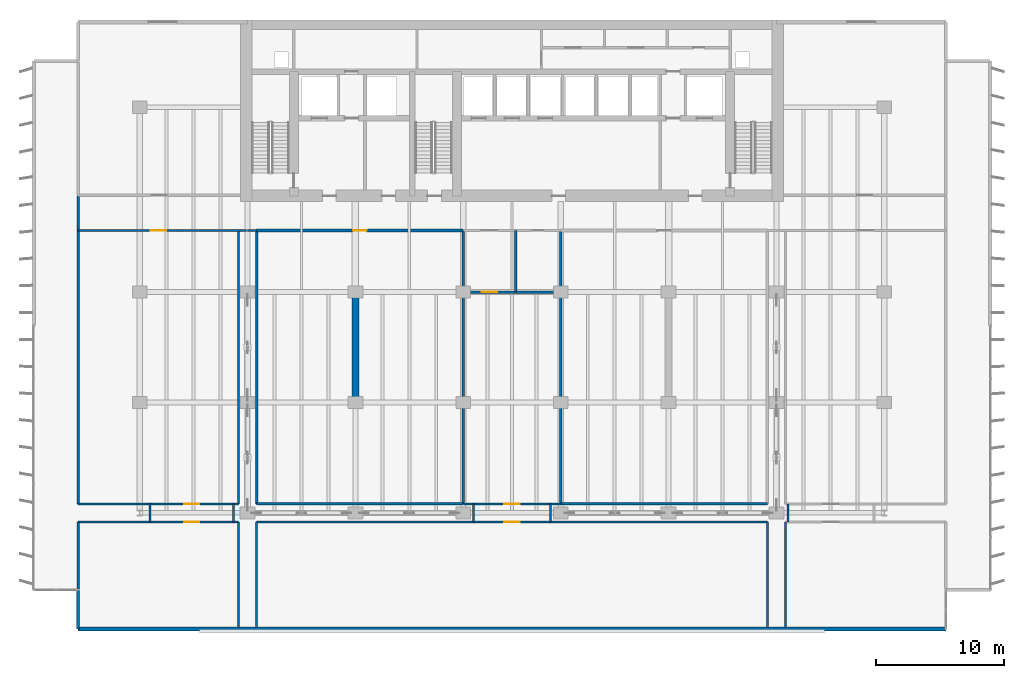
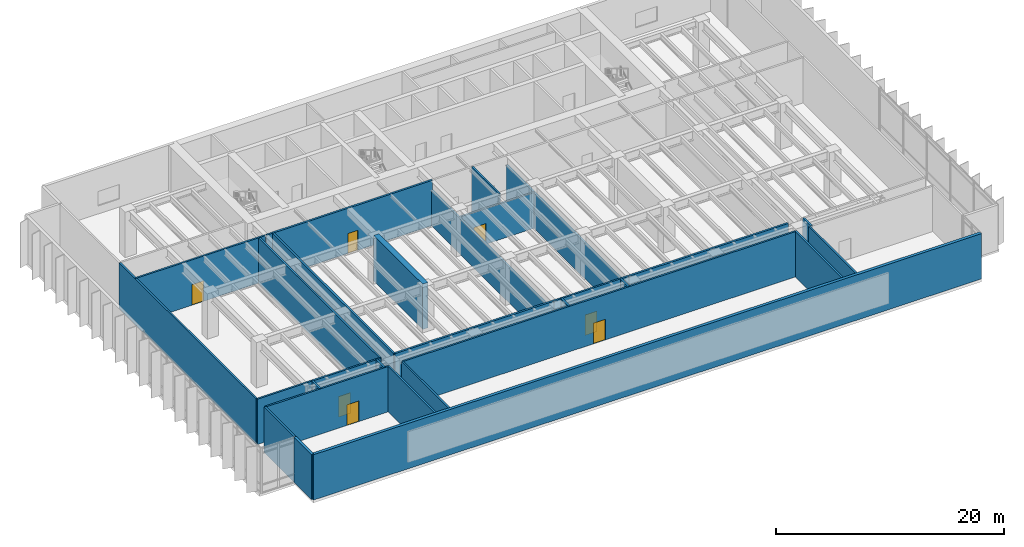
# One storey, part 14 of 21: 29 walls, 7 doors, 7 openings.
"""IFC4 building model written with IfcOpenShell, lengths in metres."""

from ifc_helpers import new_model, si_unit, direction, frame, frame_2d, origin, place, context, subcontext, project, spatial, rectangle, extrude, material, layer, layer_set, type_object, element, fill, save


model = new_model("IFC4")

# Units and contexts
model_context = context("Model", 3, precision=1e-05, world=origin(), true_north=direction((0.0, 1.0)))
body_context = subcontext(model_context, "Body", "Model", "MODEL_VIEW")
ifc_project = project(units=[si_unit("LENGTHUNIT", "METRE"), si_unit("AREAUNIT", "SQUARE_METRE"), si_unit("VOLUMEUNIT", "CUBIC_METRE"), si_unit("PLANEANGLEUNIT", "RADIAN"), si_unit("MASSUNIT", "GRAM", prefix="KILO")], contexts=[model_context])

# Site, building, storey
site_placement = place(None, origin())
site = spatial("IfcSite", under=ifc_project, at=site_placement, CompositionType="ELEMENT")
building_placement = place(site_placement, origin())
building = spatial("IfcBuilding", under=site, at=building_placement, Name="Caelmar Bay Residences", CompositionType="ELEMENT")
storey_placement = place(building_placement, frame((0.0, 0.0, 79.5)))
storey = spatial("IfcBuildingStorey", under=building, at=storey_placement, Name="L21", CompositionType="ELEMENT", Elevation=79.5)

# Walls
ifc_material_1 = material(Name="Concrete f'c 70 MPa (10,000 psi)", Category="concrete")
ifc_layer_1 = layer(ifc_material_1, 0.550048828125)
ifc_layer_set_1 = layer_set([ifc_layer_1], Name="Concrete f'c 70 MPa (10,000 psi)")
wall_type_1 = type_object("IfcWallType", Name="SW-XSLB-550", PredefinedType="SHEAR", material=ifc_layer_set_1)
wall_1_placement = place(storey_placement, frame((26.699951171875, 20.800048828125, 0.0), z_axis=(0.0, 0.0, 1.0), x_axis=(0.0, 1.0, 0.0)))
element("IfcWall", 1, at=wall_1_placement, inside=storey, type_object=wall_type_1, Name="L21 Transverse Cross-Slab Shear Wall W5", PredefinedType="SHEAR", context=body_context, shape_type="SweptSolid", body=[
    extrude(rectangle(XDim=8.599853515625, YDim=0.550048828125, at=frame_2d((4.2998046875, 0.0))), origin(), (0.0, 0.0, 1.0), 4.85009765625),
])
ifc_material_2 = material(Name="Double-stud acoustic fire-rated gypsum partition 180 mm")
ifc_layer_2 = layer(ifc_material_2, 0.179931640625)
ifc_layer_set_2 = layer_set([ifc_layer_2], Name="Double-stud acoustic fire-rated gypsum partition 180 mm")
wall_type_2 = type_object("IfcWallType", Name="W-COR-200", PredefinedType="PARTITIONING", material=ifc_layer_set_2)
wall_2_placement = place(storey_placement, frame((5.10009765625, 6.284912109375, 0.0), z_axis=(0.0, 0.0, 1.0), x_axis=(0.0, 1.0, 0.0)))
element("IfcWall", 2, at=wall_2_placement, inside=storey, type_object=wall_type_2, Name="L21 Partition Wall V001", PredefinedType="PARTITIONING", context=body_context, shape_type="SweptSolid", body=[
    extrude(rectangle(XDim=5.215087890625, YDim=0.179931640625, at=frame_2d((2.607421875, 0.0))), origin(), (0.0, 0.0, 1.0), 4.85009765625),
])
wall_3_placement = place(storey_placement, frame((5.10009765625, 12.89990234375, 0.0), z_axis=(0.0, 0.0, 1.0), x_axis=(0.0, 1.0, 0.0)))
element("IfcWall", 3, at=wall_3_placement, inside=storey, type_object=wall_type_2, Name="L21 Partition Wall V002", PredefinedType="PARTITIONING", context=body_context, shape_type="SweptSolid", body=[
    extrude(rectangle(XDim=24.0, YDim=0.179931640625, at=frame_2d((12.0, 0.0))), origin(), (0.0, 0.0, 1.0), 4.85009765625),
])
for number, where, z_axis, x_axis, name in (
    (4, (10.699951171875, 11.5, 0.0), (0.0, 0.0, 1.0), (0.0, 1.0, 0.0), "L21 Partition Wall V004"),
    (5, (17.199951171875, 11.5, 0.0), (0.0, 0.0, 1.0), (0.0, 1.0, 0.0), "L21 Partition Wall V005"),
):
    element("IfcWall", number, at=place(storey_placement, frame(where, z_axis=z_axis, x_axis=x_axis)), inside=storey, type_object=wall_type_2, Name=name, PredefinedType="PARTITIONING", context=body_context, shape_type="SweptSolid", body=[
        extrude(rectangle(XDim=1.39990234375, YDim=0.179931640625, at=frame_2d((0.699951171875, 0.0))), origin(), (0.0, 0.0, 1.0), 4.85009765625),
    ])
wall_4_placement = place(storey_placement, frame((17.60009765625, 3.294921875, 0.0), z_axis=(0.0, 0.0, 1.0), x_axis=(0.0, 1.0, 0.0)))
element("IfcWall", 6, at=wall_4_placement, inside=storey, type_object=wall_type_2, Name="L21 Partition Wall V006", PredefinedType="PARTITIONING", context=body_context, shape_type="SweptSolid", body=[
    extrude(rectangle(XDim=8.205078125, YDim=0.179931640625, at=frame_2d((4.1025390625, 0.0))), origin(), (0.0, 0.0, 1.0), 4.85009765625),
])
wall_5_placement = place(storey_placement, frame((17.60009765625, 12.89990234375, 0.0), z_axis=(0.0, 0.0, 1.0), x_axis=(0.0, 1.0, 0.0)))
element("IfcWall", 7, at=wall_5_placement, inside=storey, type_object=wall_type_2, Name="L21 Partition Wall V007", PredefinedType="PARTITIONING", context=body_context, shape_type="SweptSolid", body=[
    extrude(rectangle(XDim=21.300048828125, YDim=0.179931640625, at=frame_2d((10.64990234375, 0.0))), origin(), (0.0, 0.0, 1.0), 4.85009765625),
])
wall_6_placement = place(storey_placement, frame((19.0, 3.294921875, 0.0), z_axis=(0.0, 0.0, 1.0), x_axis=(0.0, 1.0, 0.0)))
element("IfcWall", 8, at=wall_6_placement, inside=storey, type_object=wall_type_2, Name="L21 Partition Wall V008", PredefinedType="PARTITIONING", context=body_context, shape_type="SweptSolid", body=[
    extrude(rectangle(XDim=8.205078125, YDim=0.179931640625, at=frame_2d((4.1025390625, 0.0))), origin(), (0.0, 0.0, 1.0), 4.85009765625),
])
wall_7_placement = place(storey_placement, frame((35.89990234375, 11.5, 0.0), z_axis=(0.0, 0.0, 1.0), x_axis=(0.0, 1.0, 0.0)))
element("IfcWall", 9, at=wall_7_placement, inside=storey, type_object=wall_type_2, Name="L21 Partition Wall V016", PredefinedType="PARTITIONING", context=body_context, shape_type="SweptSolid", body=[
    extrude(rectangle(XDim=1.39990234375, YDim=0.179931640625, at=frame_2d((0.699951171875, 0.0))), origin(), (0.0, 0.0, 1.0), 4.85009765625),
])
wall_8_placement = place(storey_placement, frame((39.199951171875, 29.39990234375, 0.0), z_axis=(0.0, 0.0, 1.0), x_axis=(0.0, 1.0, 0.0)))
element("IfcWall", 10, at=wall_8_placement, inside=storey, type_object=wall_type_2, Name="L21 Partition Wall V018", PredefinedType="PARTITIONING", context=body_context, shape_type="SweptSolid", body=[
    extrude(rectangle(XDim=4.800048828125, YDim=0.179931640625, at=frame_2d((2.39990234375, 0.0))), origin(), (0.0, 0.0, 1.0), 4.85009765625),
])
wall_9_placement = place(storey_placement, frame((41.89990234375, 11.5, 0.0), z_axis=(0.0, 0.0, 1.0), x_axis=(0.0, 1.0, 0.0)))
element("IfcWall", 11, at=wall_9_placement, inside=storey, type_object=wall_type_2, Name="L21 Partition Wall V021", PredefinedType="PARTITIONING", context=body_context, shape_type="SweptSolid", body=[
    extrude(rectangle(XDim=1.39990234375, YDim=0.179931640625, at=frame_2d((0.699951171875, 0.0))), origin(), (0.0, 0.0, 1.0), 4.85009765625),
])
for number, where, z_axis, x_axis, name in (
    (12, (58.800048828125, 3.294921875, 0.0), (0.0, 0.0, 1.0), (0.0, 1.0, 0.0), "L21 Partition Wall V032"),
    (13, (60.199951171875, 3.294921875, 0.0), (0.0, 0.0, 1.0), (0.0, 1.0, 0.0), "L21 Partition Wall V034"),
):
    element("IfcWall", number, at=place(storey_placement, frame(where, z_axis=z_axis, x_axis=x_axis)), inside=storey, type_object=wall_type_2, Name=name, PredefinedType="PARTITIONING", context=body_context, shape_type="SweptSolid", body=[
        extrude(rectangle(XDim=8.205078125, YDim=0.179931640625, at=frame_2d((4.1025390625, 0.0))), origin(), (0.0, 0.0, 1.0), 4.85009765625),
    ])
wall_10_placement = place(storey_placement, frame((60.39990234375, 11.5048828125, 0.0), z_axis=(0.0, 0.0, 1.0), x_axis=(0.0, 1.0, 0.0)))
element("IfcWall", 14, at=wall_10_placement, inside=storey, type_object=wall_type_2, Name="L21 Partition Wall V036", PredefinedType="PARTITIONING", context=body_context, shape_type="SweptSolid", body=[
    extrude(rectangle(XDim=1.39013671875, YDim=0.179931640625, at=frame_2d((0.695068359375, 0.0))), origin(), (0.0, 0.0, 1.0), 4.85009765625),
])

# Wall, opening, door
wall_11_placement = place(storey_placement, frame((5.10009765625, 11.5, 0.0), z_axis=(0.0, 0.0, 1.0), x_axis=(1.0, 0.0, 0.0)))
wall_11 = element("IfcWall", 15, at=wall_11_placement, inside=storey, type_object=wall_type_2, Name="L21 Partition Wall H041", PredefinedType="PARTITIONING", context=body_context, shape_type="SweptSolid", body=[
    extrude(rectangle(XDim=12.5, YDim=0.179931640625, at=frame_2d((6.25, 0.0))), origin(), (0.0, 0.0, 1.0), 4.85009765625),
])
opening_1_placement = place(wall_11_placement, frame((8.25, 0.0, 0.0)))
opening_1 = element("IfcOpeningElement", 16, at=opening_1_placement, cuts=wall_11, Name="Opening D-L21-133", PredefinedType="OPENING", context=body_context, shape_type="SweptSolid", body=[
    extrude(rectangle(XDim=1.199951171875, YDim=2.199951171875, at=frame_2d((0.60009765625, 1.10009765625))), frame((0.0, 0.099853515625, 0.0), z_axis=(0.0, -1.0, 0.0), x_axis=(1.0, 0.0, 0.0)), (0.0, 0.0, 1.0), 0.199951171875),
])
ifc_material_3 = material(Name="Fire-rated steel and walnut architectural door assembly", Category="steel")
ifc_layer_3 = layer(ifc_material_3, 0.050048828125)
ifc_layer_set_3 = layer_set([ifc_layer_3], Name="Fire-rated steel and walnut architectural door assembly")
door_type_1 = type_object("IfcDoorType", Name="D-PLANT-1200", OperationType="NOTDEFINED", PredefinedType="DOOR", material=ifc_layer_set_3)
door_1_placement = place(opening_1_placement, origin())
door_1 = element("IfcDoor", 17, at=door_1_placement, inside=storey, type_object=door_type_1, Name="L21 West Intake Plenum Plant Room L21 Door", OperationType="SINGLE_SWING_RIGHT", OverallHeight=2.199951171875, OverallWidth=1.199951171875, PredefinedType="DOOR", context=body_context, shape_type="SweptSolid", body=[
    extrude(rectangle(XDim=1.199951171875, YDim=2.199951171875, at=frame_2d((0.60009765625, 1.10009765625))), frame((0.0, 0.02490234375, 0.0), z_axis=(0.0, -1.0, 0.0), x_axis=(1.0, 0.0, 0.0)), (0.0, 0.0, 1.0), 0.050048828125),
])
fill(opening_1, door_1)

wall_12_placement = place(storey_placement, frame((19.0, 11.5, 0.0), z_axis=(0.0, 0.0, 1.0), x_axis=(1.0, 0.0, 0.0)))
wall_12 = element("IfcWall", 18, at=wall_12_placement, inside=storey, type_object=wall_type_2, Name="L21 Partition Wall H042", PredefinedType="PARTITIONING", context=body_context, shape_type="SweptSolid", body=[
    extrude(rectangle(XDim=39.800048828125, YDim=0.179931640625, at=frame_2d((19.89990234375, 0.0))), origin(), (0.0, 0.0, 1.0), 4.85009765625),
])
opening_2_placement = place(wall_12_placement, frame((19.300048828125, 0.0, 0.0)))
opening_2 = element("IfcOpeningElement", 19, at=opening_2_placement, cuts=wall_12, Name="Opening D-L21-131", PredefinedType="OPENING", context=body_context, shape_type="SweptSolid", body=[
    extrude(rectangle(XDim=1.199951171875, YDim=2.199951171875, at=frame_2d((0.60009765625, 1.10009765625))), frame((0.0, 0.099853515625, 0.0), z_axis=(0.0, -1.0, 0.0), x_axis=(1.0, 0.0, 0.0)), (0.0, 0.0, 1.0), 0.199951171875),
])
door_2_placement = place(opening_2_placement, origin())
door_2 = element("IfcDoor", 20, at=door_2_placement, inside=storey, type_object=door_type_1, Name="L21 Hydronic Heat Exchanger Plant Room L21 Door", OperationType="SINGLE_SWING_RIGHT", OverallHeight=2.199951171875, OverallWidth=1.199951171875, PredefinedType="DOOR", context=body_context, shape_type="SweptSolid", body=[
    extrude(rectangle(XDim=1.199951171875, YDim=2.199951171875, at=frame_2d((0.60009765625, 1.10009765625))), frame((0.0, 0.02490234375, 0.0), z_axis=(0.0, -1.0, 0.0), x_axis=(1.0, 0.0, 0.0)), (0.0, 0.0, 1.0), 0.050048828125),
])
fill(opening_2, door_2)

wall_13_placement = place(storey_placement, frame((5.10009765625, 12.89990234375, 0.0), z_axis=(0.0, 0.0, 1.0), x_axis=(1.0, 0.0, 0.0)))
wall_13 = element("IfcWall", 21, at=wall_13_placement, inside=storey, type_object=wall_type_2, Name="L21 Partition Wall H044", PredefinedType="PARTITIONING", context=body_context, shape_type="SweptSolid", body=[
    extrude(rectangle(XDim=12.5, YDim=0.179931640625, at=frame_2d((6.25, 0.0))), origin(), (0.0, 0.0, 1.0), 4.85009765625),
])
opening_3_placement = place(wall_13_placement, frame((8.25, 0.0, 0.0)))
opening_3 = element("IfcOpeningElement", 22, at=opening_3_placement, cuts=wall_13, Name="Opening D-L21-132", PredefinedType="OPENING", context=body_context, shape_type="SweptSolid", body=[
    extrude(rectangle(XDim=1.199951171875, YDim=2.199951171875, at=frame_2d((0.60009765625, 1.10009765625))), frame((0.0, 0.099853515625, 0.0), z_axis=(0.0, -1.0, 0.0), x_axis=(1.0, 0.0, 0.0)), (0.0, 0.0, 1.0), 0.199951171875),
])
door_3_placement = place(opening_3_placement, origin())
door_3 = element("IfcDoor", 23, at=door_3_placement, inside=storey, type_object=door_type_1, Name="L21 West Intake Duct Plant Room L21 Door", OperationType="SINGLE_SWING_LEFT", OverallHeight=2.199951171875, OverallWidth=1.199951171875, PredefinedType="DOOR", context=body_context, shape_type="SweptSolid", body=[
    extrude(rectangle(XDim=1.199951171875, YDim=2.199951171875, at=frame_2d((0.60009765625, 1.10009765625))), frame((0.0, 0.02490234375, 0.0), z_axis=(0.0, -1.0, 0.0), x_axis=(1.0, 0.0, 0.0)), (0.0, 0.0, 1.0), 0.050048828125),
])
fill(opening_3, door_3)

wall_14_placement = place(storey_placement, frame((35.10498046875, 12.89990234375, 0.0), z_axis=(0.0, 0.0, 1.0), x_axis=(1.0, 0.0, 0.0)))
wall_14 = element("IfcWall", 24, at=wall_14_placement, inside=storey, type_object=wall_type_2, Name="L21 Partition Wall H046", PredefinedType="PARTITIONING", context=body_context, shape_type="SweptSolid", body=[
    extrude(rectangle(XDim=7.594970703125, YDim=0.179931640625, at=frame_2d((3.79736328125, 0.0))), origin(), (0.0, 0.0, 1.0), 4.85009765625),
])
opening_4_placement = place(wall_14_placement, frame((3.195068359375, 0.0, 0.0)))
opening_4 = element("IfcOpeningElement", 25, at=opening_4_placement, cuts=wall_14, Name="Opening D-L21-130", PredefinedType="OPENING", context=body_context, shape_type="SweptSolid", body=[
    extrude(rectangle(XDim=1.199951171875, YDim=2.199951171875, at=frame_2d((0.60009765625, 1.10009765625))), frame((0.0, 0.099853515625, 0.0), z_axis=(0.0, -1.0, 0.0), x_axis=(1.0, 0.0, 0.0)), (0.0, 0.0, 1.0), 0.199951171875),
])
door_4_placement = place(opening_4_placement, origin())
door_4 = element("IfcDoor", 26, at=door_4_placement, inside=storey, type_object=door_type_1, Name="L21 Central Piping Plant Room L21 Door", OperationType="SINGLE_SWING_LEFT", OverallHeight=2.199951171875, OverallWidth=1.199951171875, PredefinedType="DOOR", context=body_context, shape_type="SweptSolid", body=[
    extrude(rectangle(XDim=1.199951171875, YDim=2.199951171875, at=frame_2d((0.60009765625, 1.10009765625))), frame((0.0, 0.02490234375, 0.0), z_axis=(0.0, -1.0, 0.0), x_axis=(1.0, 0.0, 0.0)), (0.0, 0.0, 1.0), 0.050048828125),
])
fill(opening_4, door_4)

wall_15_placement = place(storey_placement, frame((35.10009765625, 29.39990234375, 0.0), z_axis=(0.0, 0.0, 1.0), x_axis=(1.0, 0.0, 0.0)))
wall_15 = element("IfcWall", 27, at=wall_15_placement, inside=storey, type_object=wall_type_2, Name="L21 Partition Wall H049", PredefinedType="PARTITIONING", context=body_context, shape_type="SweptSolid", body=[
    extrude(rectangle(XDim=7.599853515625, YDim=0.179931640625, at=frame_2d((3.7998046875, 0.0))), origin(), (0.0, 0.0, 1.0), 3.81396484375),
])
opening_5_placement = place(wall_15_placement, frame((1.449951171875, 0.0, 0.0)))
opening_5 = element("IfcOpeningElement", 28, at=opening_5_placement, cuts=wall_15, Name="Opening D-L21-129", PredefinedType="OPENING", context=body_context, shape_type="SweptSolid", body=[
    extrude(rectangle(XDim=1.199951171875, YDim=2.199951171875, at=frame_2d((0.60009765625, 1.10009765625))), frame((0.0, 0.099853515625, 0.0), z_axis=(0.0, -1.0, 0.0), x_axis=(1.0, 0.0, 0.0)), (0.0, 0.0, 1.0), 0.199951171875),
])
door_5_placement = place(opening_5_placement, origin())
door_5 = element("IfcDoor", 29, at=door_5_placement, inside=storey, type_object=door_type_1, Name="L21 Booster Pump Plant Room L21 Door", OperationType="SINGLE_SWING_RIGHT", OverallHeight=2.199951171875, OverallWidth=1.199951171875, PredefinedType="DOOR", context=body_context, shape_type="SweptSolid", body=[
    extrude(rectangle(XDim=1.199951171875, YDim=2.199951171875, at=frame_2d((0.60009765625, 1.10009765625))), frame((0.0, 0.02490234375, 0.0), z_axis=(0.0, -1.0, 0.0), x_axis=(1.0, 0.0, 0.0)), (0.0, 0.0, 1.0), 0.050048828125),
])
fill(opening_5, door_5)

wall_16_placement = place(storey_placement, frame((5.10009765625, 34.199951171875, 0.0), z_axis=(0.0, 0.0, 1.0), x_axis=(1.0, 0.0, 0.0)))
wall_16 = element("IfcWall", 30, at=wall_16_placement, inside=storey, type_object=wall_type_2, Name="L21 Partition Wall H050", PredefinedType="PARTITIONING", context=body_context, shape_type="SweptSolid", body=[
    extrude(rectangle(XDim=13.099853515625, YDim=0.179931640625, at=frame_2d((6.5498046875, 0.0))), origin(), (0.0, 0.0, 1.0), 4.85009765625),
])
opening_6_placement = place(wall_16_placement, frame((5.64990234375, 0.0, 0.0)))
opening_6 = element("IfcOpeningElement", 31, at=opening_6_placement, cuts=wall_16, Name="Opening D-L21-121", PredefinedType="OPENING", context=body_context, shape_type="SweptSolid", body=[
    extrude(rectangle(XDim=1.199951171875, YDim=2.199951171875, at=frame_2d((0.60009765625, 1.10009765625))), frame((0.0, 0.099853515625, 0.0), z_axis=(0.0, -1.0, 0.0), x_axis=(1.0, 0.0, 0.0)), (0.0, 0.0, 1.0), 0.199951171875),
])
door_6_placement = place(opening_6_placement, origin())
door_6 = element("IfcDoor", 32, at=door_6_placement, inside=storey, type_object=door_type_1, Name="L21 DOAS Air Handling Plant Room L21 Door", OperationType="SINGLE_SWING_RIGHT", OverallHeight=2.199951171875, OverallWidth=1.199951171875, PredefinedType="DOOR", context=body_context, shape_type="SweptSolid", body=[
    extrude(rectangle(XDim=1.199951171875, YDim=2.199951171875, at=frame_2d((0.60009765625, 1.10009765625))), frame((0.0, 0.02490234375, 0.0), z_axis=(0.0, -1.0, 0.0), x_axis=(1.0, 0.0, 0.0)), (0.0, 0.0, 1.0), 0.050048828125),
])
fill(opening_6, door_6)

# Walls
wall_17_placement = place(storey_placement, frame((18.300048828125, 34.199951171875, 0.0), z_axis=(0.0, 0.0, 1.0), x_axis=(1.0, 0.0, 0.0)))
element("IfcWall", 33, at=wall_17_placement, inside=storey, type_object=wall_type_2, Name="L21 Partition Wall H051", PredefinedType="PARTITIONING", context=body_context, shape_type="SweptSolid", body=[
    extrude(rectangle(XDim=0.699951171875, YDim=0.179931640625, at=frame_2d((0.35009765625, 0.0))), origin(), (0.0, 0.0, 1.0), 4.85009765625),
])
ifc_material_4 = material(Name="Precast concrete f'c 40 MPa (6,000 psi)", Category="concrete")
ifc_layer_4 = layer(ifc_material_4, 0.25)
ifc_layer_set_4 = layer_set([ifc_layer_4], Name="Precast concrete f'c 40 MPa (6,000 psi)")
wall_type_3 = type_object("IfcWallType", Name="W-EXT-250", PredefinedType="ELEMENTEDWALL", material=ifc_layer_set_4)
wall_18_placement = place(storey_placement, frame((5.10009765625, 6.199951171875, 0.0), z_axis=(0.0, 0.0, 1.0), x_axis=(0.0, -1.0, 0.0)))
element("IfcWall", 34, at=wall_18_placement, inside=storey, type_object=wall_type_3, Name="L21 SW Notch Return Wall", PredefinedType="ELEMENTEDWALL", context=body_context, shape_type="SweptSolid", body=[
    extrude(rectangle(XDim=3.050048828125, YDim=0.25, at=frame_2d((1.52490234375, 0.0))), origin(), (0.0, 0.0, 1.0), 4.85009765625),
])
ifc_layer_5 = layer(ifc_material_4, 0.300048828125)
ifc_layer_set_5 = layer_set([ifc_layer_5], Name="Precast concrete f'c 40 MPa (6,000 psi)")
wall_type_4 = type_object("IfcWallType", Name="W-EXT-300", PredefinedType="STANDARD", material=ifc_layer_set_5)
wall_19_placement = place(storey_placement, frame((72.699951171875, 3.14990234375, 0.0), z_axis=(0.0, 0.0, 1.0), x_axis=(-1.0, 0.0, 0.0)))
element("IfcWall", 35, at=wall_19_placement, inside=storey, type_object=wall_type_4, Name="L21 South Bayfront Exterior Wall", PredefinedType="STANDARD", context=body_context, shape_type="SweptSolid", body=[
    extrude(rectangle(XDim=67.599853515625, YDim=0.300048828125, at=frame_2d((33.7998046875, 0.0))), origin(), (0.0, 0.0, 1.0), 4.85009765625),
])
ifc_material_5 = material(Name="Fire-rated masonry and gypsum shaftliner assembly 200 mm", Category="masonry")
ifc_layer_6 = layer(ifc_material_5, 0.199951171875)
ifc_layer_set_6 = layer_set([ifc_layer_6], Name="Fire-rated masonry and gypsum shaftliner assembly 200 mm")
wall_type_5 = type_object("IfcWallType", Name="W-FSAE-200", PredefinedType="PARTITIONING", material=ifc_layer_set_6)
wall_20_placement = place(storey_placement, frame((19.0, 12.89990234375, 0.0), z_axis=(0.0, 0.0, 1.0), x_axis=(0.0, 1.0, 0.0)))
element("IfcWall", 36, at=wall_20_placement, inside=storey, type_object=wall_type_5, Name="L21 Partition Wall V009", PredefinedType="PARTITIONING", context=body_context, shape_type="SweptSolid", body=[
    extrude(rectangle(XDim=21.300048828125, YDim=0.199951171875, at=frame_2d((10.64990234375, 0.0))), origin(), (0.0, 0.0, 1.0), 4.85009765625),
])
for number, where, z_axis, x_axis, name in (
    (37, (35.10009765625, 12.89990234375, 0.0), (0.0, 0.0, 1.0), (0.0, 1.0, 0.0), "L21 Partition Wall V015"),
    (38, (42.699951171875, 12.89990234375, 0.0), (0.0, 0.0, 1.0), (0.0, 1.0, 0.0), "L21 Partition Wall V022"),
):
    element("IfcWall", number, at=place(storey_placement, frame(where, z_axis=z_axis, x_axis=x_axis)), inside=storey, type_object=wall_type_5, Name=name, PredefinedType="PARTITIONING", context=body_context, shape_type="SweptSolid", body=[
        extrude(rectangle(XDim=21.300048828125, YDim=0.199951171875, at=frame_2d((10.64990234375, 0.0))), origin(), (0.0, 0.0, 1.0), 3.81396484375),
    ])
wall_21_placement = place(storey_placement, frame((19.0, 12.89990234375, 0.0), z_axis=(0.0, 0.0, 1.0), x_axis=(1.0, 0.0, 0.0)))
element("IfcWall", 39, at=wall_21_placement, inside=storey, type_object=wall_type_5, Name="L21 Partition Wall H045", PredefinedType="PARTITIONING", context=body_context, shape_type="SweptSolid", body=[
    extrude(rectangle(XDim=16.10009765625, YDim=0.199951171875, at=frame_2d((8.050048828125, 0.0))), origin(), (0.0, 0.0, 1.0), 4.85009765625),
])
wall_22_placement = place(storey_placement, frame((42.705078125, 12.89990234375, 0.0), z_axis=(0.0, 0.0, 1.0), x_axis=(1.0, 0.0, 0.0)))
element("IfcWall", 40, at=wall_22_placement, inside=storey, type_object=wall_type_5, Name="L21 Partition Wall H047", PredefinedType="PARTITIONING", context=body_context, shape_type="SweptSolid", body=[
    extrude(rectangle(XDim=16.094970703125, YDim=0.199951171875, at=frame_2d((8.04736328125, 0.0))), origin(), (0.0, 0.0, 1.0), 4.85009765625),
])

# Wall, opening, door
wall_23_placement = place(storey_placement, frame((19.0048828125, 34.199951171875, 0.0), z_axis=(0.0, 0.0, 1.0), x_axis=(1.0, 0.0, 0.0)))
wall_23 = element("IfcWall", 41, at=wall_23_placement, inside=storey, type_object=wall_type_5, Name="L21 Partition Wall H052", PredefinedType="PARTITIONING", context=body_context, shape_type="SweptSolid", body=[
    extrude(rectangle(XDim=16.09521484375, YDim=0.199951171875, at=frame_2d((8.047607421875, 0.0))), origin(), (0.0, 0.0, 1.0), 4.85009765625),
])
opening_7_placement = place(wall_23_placement, frame((7.5224609375, 0.0, 0.0)))
opening_7 = element("IfcOpeningElement", 42, at=opening_7_placement, cuts=wall_23, Name="Opening D-L21-122", PredefinedType="OPENING", context=body_context, shape_type="SweptSolid", body=[
    extrude(rectangle(XDim=1.050048828125, YDim=2.14990234375, at=frame_2d((0.52490234375, 1.074951171875))), frame((0.0, 0.10986328125, 0.0), z_axis=(0.0, -1.0, 0.0), x_axis=(1.0, 0.0, 0.0)), (0.0, 0.0, 1.0), 0.219970703125),
])
ifc_layer_7 = layer(ifc_material_3, 0.050048828125)
ifc_layer_set_7 = layer_set([ifc_layer_7], Name="Fire-rated steel and walnut architectural door assembly")
door_type_2 = type_object("IfcDoorType", Name="D-FSAE-1050", OperationType="NOTDEFINED", PredefinedType="DOOR", material=ifc_layer_set_7)
door_7_placement = place(opening_7_placement, origin())
door_7 = element("IfcDoor", 43, at=door_7_placement, inside=storey, type_object=door_type_2, Name="L21 West Area of Refuge L21 Door", OperationType="SINGLE_SWING_LEFT", OverallHeight=2.14990234375, OverallWidth=1.050048828125, PredefinedType="DOOR", context=body_context, shape_type="SweptSolid", body=[
    extrude(rectangle(XDim=1.050048828125, YDim=2.14990234375, at=frame_2d((0.52490234375, 1.074951171875))), frame((0.0, 0.02490234375, 0.0), z_axis=(0.0, -1.0, 0.0), x_axis=(1.0, 0.0, 0.0)), (0.0, 0.0, 1.0), 0.050048828125),
])
fill(opening_7, door_7)

save(model, "model.ifc")
